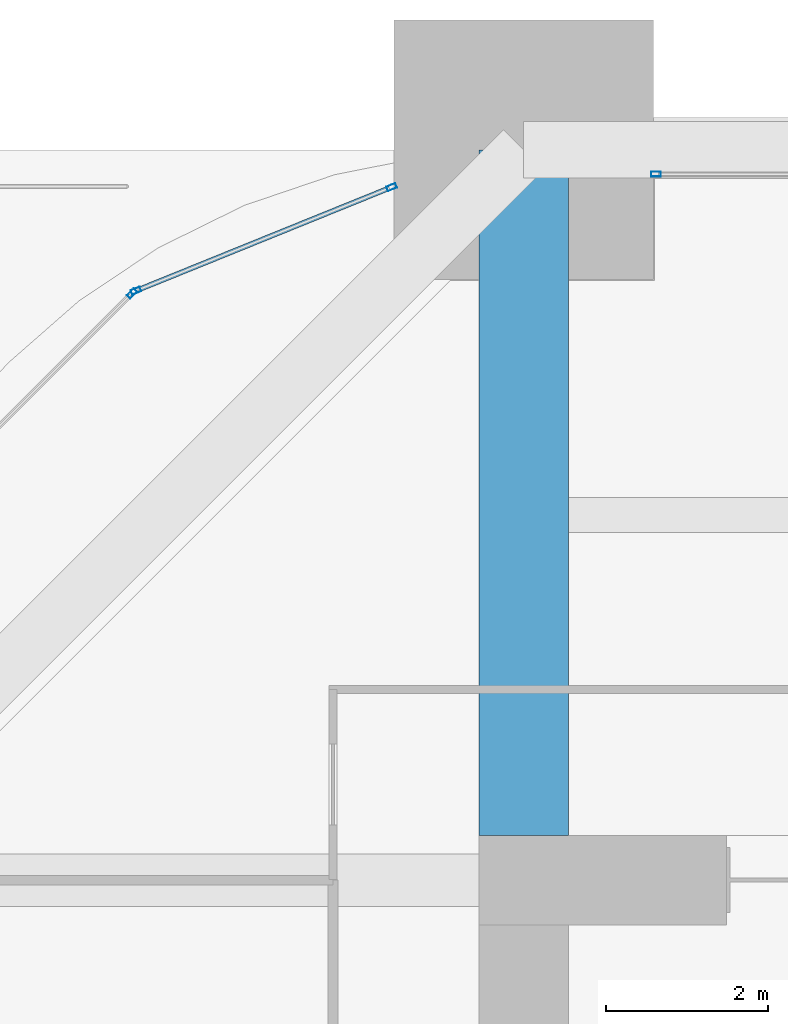
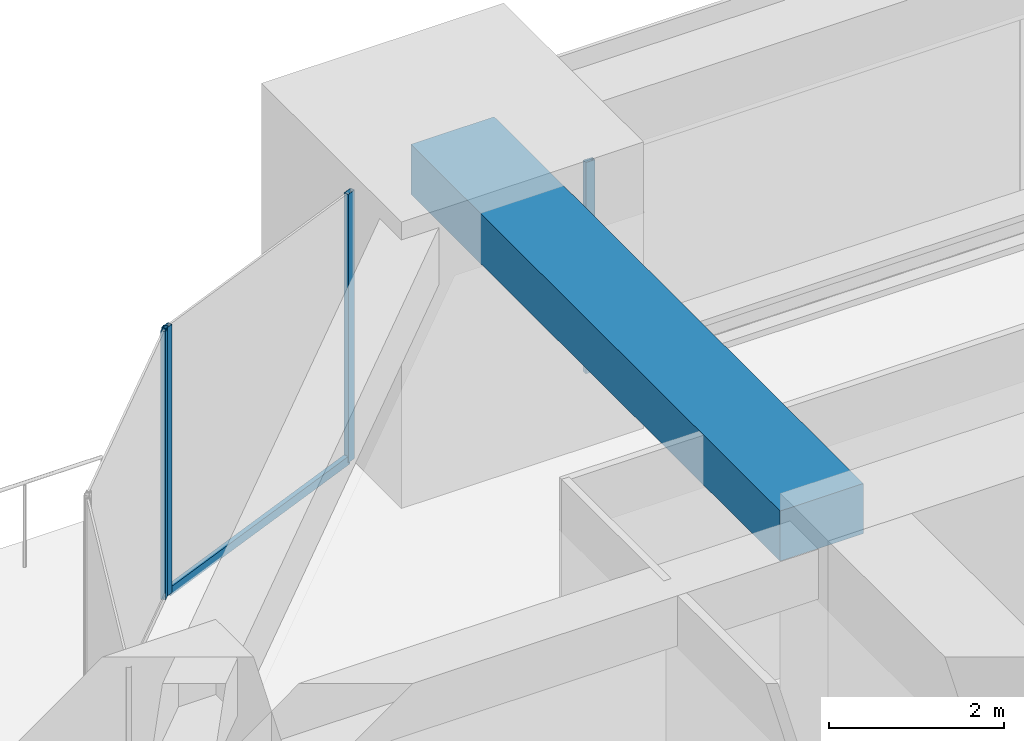
# One storey, part 25 of 40: 5 members, 1 beam, 3 elements without a shape of their own.
"""IFC4 building model written with IfcOpenShell, lengths in metres."""

from ifc_helpers import new_model, si_unit, direction, frame, origin, origin_2d, place, context, subcontext, project, spatial, rectangle, hollow_rectangle, extrude, material, material_profile, profile_set, type_object, element, aggregate, save


model = new_model("IFC4")

# Units and contexts
model_context = context("Model", 3, precision=1e-05, world=origin(), true_north=direction((0.0, 1.0)))
body_context = subcontext(model_context, "Body", "Model", "MODEL_VIEW")
ifc_project = project(units=[si_unit("LENGTHUNIT", "METRE"), si_unit("AREAUNIT", "SQUARE_METRE"), si_unit("VOLUMEUNIT", "CUBIC_METRE"), si_unit("PLANEANGLEUNIT", "RADIAN"), si_unit("MASSUNIT", "GRAM", prefix="KILO")], contexts=[model_context])

# Site, building, storey
site_placement = place(None, origin())
site = spatial("IfcSite", under=ifc_project, at=site_placement, CompositionType="ELEMENT")
building_placement = place(site_placement, origin())
building = spatial("IfcBuilding", under=site, at=building_placement, Name="Zorevar Civic Tower", CompositionType="ELEMENT")
storey_placement = place(building_placement, frame((0.0, 0.0, 239.39990234375)))
storey = spatial("IfcBuildingStorey", under=building, at=storey_placement, Name="L58", CompositionType="ELEMENT", Elevation=239.39990234375)

# Beam
ifc_material_1 = material(Name="Concrete C50/60", Category="concrete")
ifc_material_profile_1 = material_profile(ifc_material_1, rectangle(XDim=1.10009765625, YDim=0.699951171875, at=origin_2d()), Name="RC 1100x700")
ifc_profile_set_1 = profile_set([ifc_material_profile_1], Name="Concrete C50/60")
beam_type = type_object("IfcBeamType", Name="Beam RC 1100x700", PredefinedType="BEAM", material=ifc_profile_set_1)
beam_placement = place(storey_placement, frame((18.0, 36.550048828125, 3.400146484375), z_axis=(0.0, 1.0, 0.0), x_axis=(-1.0, 0.0, 0.0)))
element("IfcBeam", 1, at=beam_placement, inside=storey, type_object=beam_type, Name="Girder L59", PredefinedType="BEAM", context=body_context, shape_type="SweptSolid", body=[
    extrude(rectangle(XDim=1.10009765625, YDim=0.699951171875, at=origin_2d()), origin(), (0.0, 0.0, 1.0), 8.449951171875),
])

# Curtain wall, member
ifc_material_2 = material(Name="Dark grey solar-control glass in black aluminium frame", Category="aluminium")
curtain_wall_type = type_object("IfcCurtainWallType", Name="Curtain wall CW5 top zone", PredefinedType="NOTDEFINED", material=ifc_material_2)
curtain_wall_1_placement = place(storey_placement, origin())
curtain_wall_1 = element("IfcCurtainWall", 2, at=curtain_wall_1_placement, inside=storey, type_object=curtain_wall_type, Name="CW5 L58", PredefinedType="NOTDEFINED")
ifc_material_3 = material(Name="Aluminium, black anodised", Category="aluminium")
ifc_material_profile_2 = material_profile(ifc_material_3, hollow_rectangle(XDim=0.06005859375, YDim=0.1201171875, WallThickness=0.0029296875, at=origin_2d()), Name="AL 120x60x3")
ifc_profile_set_2 = profile_set([ifc_material_profile_2], Name="Aluminium, black anodised")
member_type_1 = type_object("IfcMemberType", Name="CW5 mullion AL 120x60x3", PredefinedType="MULLION", material=ifc_profile_set_2)
member_1_placement = place(storey_placement, frame((19.6298828125, 44.699951171875, 0.0), z_axis=(0.0, 0.0, 1.0), x_axis=(0.0, 1.0, 0.0)))
member_1 = element("IfcMember", 3, at=member_1_placement, type_object=member_type_1, Name="CW5 mullion 1", PredefinedType="MULLION", context=body_context, shape_type="SweptSolid", body=[
    extrude(hollow_rectangle(XDim=0.06005859375, YDim=0.1201171875, WallThickness=0.0029296875, at=origin_2d()), origin(), (0.0, 0.0, 1.0), 2.9501953125),
])
aggregate(curtain_wall_1, [member_1])

# Curtain wall, members
curtain_wall_2_placement = place(storey_placement, origin())
curtain_wall_2 = element("IfcCurtainWall", 4, at=curtain_wall_2_placement, inside=storey, type_object=curtain_wall_type, Name="CW5 L58", PredefinedType="NOTDEFINED")
member_2_placement = place(storey_placement, frame((16.372314453125, 44.540283203125, 0.0), z_axis=(0.0, 0.0, 1.0), x_axis=(0.375650166453, -0.926761540227, 0.0)))
member_2 = element("IfcMember", 5, at=member_2_placement, type_object=member_type_1, Name="CW5 mullion 1", PredefinedType="MULLION", context=body_context, shape_type="SweptSolid", body=[
    extrude(hollow_rectangle(XDim=0.06005859375, YDim=0.1201171875, WallThickness=0.0029296875, at=origin_2d()), origin(), (0.0, 0.0, 1.0), 3.75),
])
member_3_placement = place(storey_placement, frame((13.221923828125, 43.263427734375, 0.0), z_axis=(0.0, 0.0, 1.0), x_axis=(0.375650166453, -0.926761540227, 0.0)))
member_3 = element("IfcMember", 6, at=member_3_placement, type_object=member_type_1, Name="CW5 mullion 2", PredefinedType="MULLION", context=body_context, shape_type="SweptSolid", body=[
    extrude(hollow_rectangle(XDim=0.06005859375, YDim=0.1201171875, WallThickness=0.0029296875, at=origin_2d()), origin(), (0.0, 0.0, 1.0), 3.75),
])

# Curtain wall, member
curtain_wall_3_placement = place(storey_placement, origin())
curtain_wall_3 = element("IfcCurtainWall", 7, at=curtain_wall_3_placement, inside=storey, type_object=curtain_wall_type, Name="CW5 L58", PredefinedType="NOTDEFINED")
member_4_placement = place(storey_placement, frame((13.1728515625, 43.23095703125, 0.0), z_axis=(0.0, 0.0, 1.0), x_axis=(0.707106781187, -0.707106781187, 0.0)))
member_4 = element("IfcMember", 8, at=member_4_placement, type_object=member_type_1, Name="CW5 mullion 1", PredefinedType="MULLION", context=body_context, shape_type="SweptSolid", body=[
    extrude(hollow_rectangle(XDim=0.06005859375, YDim=0.1201171875, WallThickness=0.0029296875, at=origin_2d()), origin(), (0.0, 0.0, 1.0), 3.75),
])
aggregate(curtain_wall_3, [member_4])

# Member
ifc_material_4 = material(Name="Aluminium, black anodised", Category="aluminium")
ifc_material_profile_3 = material_profile(ifc_material_4, hollow_rectangle(XDim=0.06005859375, YDim=0.1201171875, WallThickness=0.0029296875, at=origin_2d()), Name="AL 120x60x3")
ifc_profile_set_3 = profile_set([ifc_material_profile_3], Name="Aluminium, black anodised")
member_type_2 = type_object("IfcMemberType", Name="CW5 transom AL 120x60x3", PredefinedType="USERDEFINED", material=ifc_profile_set_3)
member_5_placement = place(storey_placement, frame((16.344482421875, 44.529052734375, 0.030029296875), z_axis=(-0.92676265847, -0.375647407638, 0.0), x_axis=(0.375647407638, -0.92676265847, 0.0)))
member_5 = element("IfcMember", 9, at=member_5_placement, type_object=member_type_2, Name="CW5 sill transom", ObjectType="TRANSOM", PredefinedType="USERDEFINED", context=body_context, shape_type="SweptSolid", body=[
    extrude(hollow_rectangle(XDim=0.06005859375, YDim=0.1201171875, WallThickness=0.0029296875, at=origin_2d()), origin(), (0.0, 0.0, 1.0), 3.33935546875),
])

aggregate(curtain_wall_2, [member_2, member_3, member_5])

save(model, "model.ifc")
